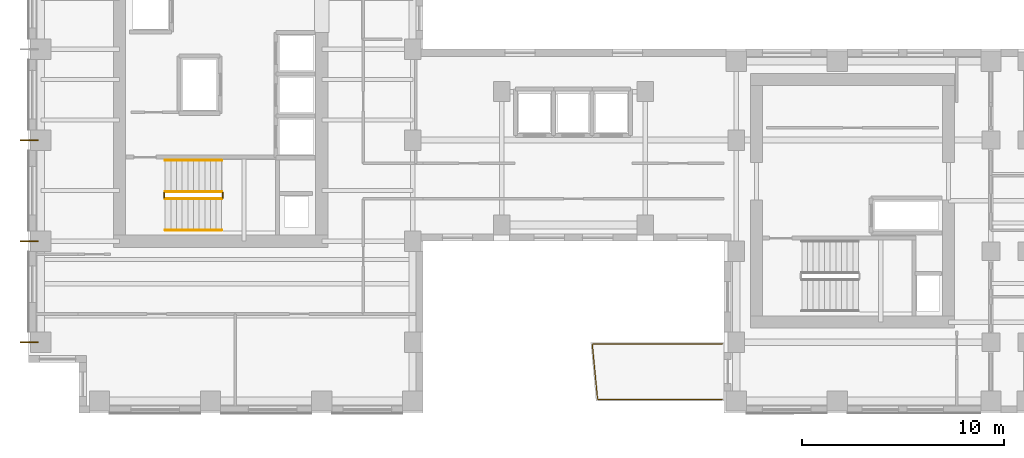
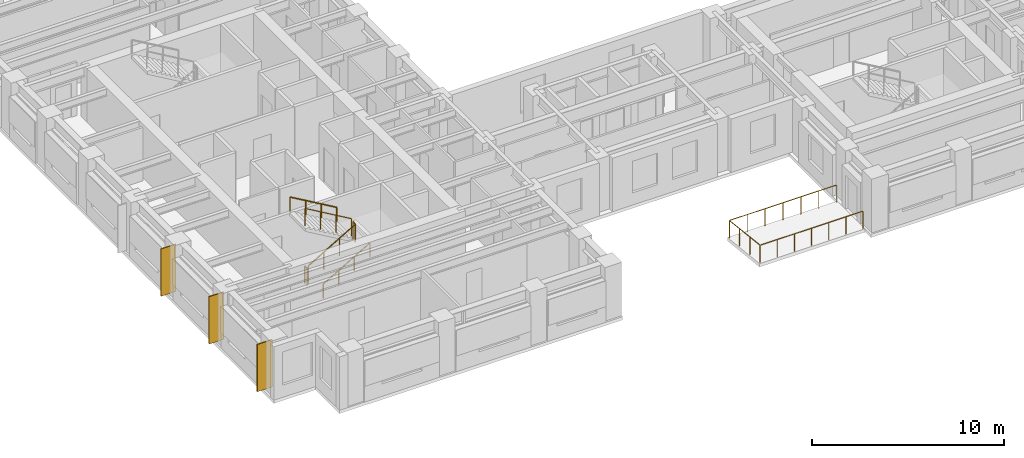
# One storey, part 10 of 12: 7 railings, 3 coverings.
"""IFC4 building model written with IfcOpenShell, lengths in metres."""

from ifc_helpers import new_model, si_unit, direction, frame, origin, origin_2d, place, context, subcontext, project, spatial, rectangle, circle, extrude, source, transform, mapped, material, layer, layer_set, type_object, element, save


model = new_model("IFC4")

# Units and contexts
model_context = context("Model", 3, precision=1e-05, world=origin(), true_north=direction((0.0, 1.0)))
body_context = subcontext(model_context, "Body", "Model", "MODEL_VIEW")
ifc_project = project(units=[si_unit("LENGTHUNIT", "METRE"), si_unit("AREAUNIT", "SQUARE_METRE"), si_unit("VOLUMEUNIT", "CUBIC_METRE"), si_unit("PLANEANGLEUNIT", "RADIAN"), si_unit("MASSUNIT", "GRAM", prefix="KILO")], contexts=[model_context])

# Site, building, storey
site_placement = place(None, origin())
site = spatial("IfcSite", under=ifc_project, at=site_placement, CompositionType="ELEMENT")
building_placement = place(site_placement, origin())
building = spatial("IfcBuilding", under=site, at=building_placement, Name="Kharzan Plaza Tower", CompositionType="ELEMENT")
storey_placement = place(building_placement, frame((0.0, 0.0, 179.10009765625)))
storey = spatial("IfcBuildingStorey", under=building, at=storey_placement, Name="L48", CompositionType="ELEMENT", Elevation=179.10009765625)

# Railings
ifc_material_1 = material(Name="Painted Galvanized Architectural Steel", Category="steel")
ifc_layer_1 = layer(ifc_material_1, 0.074951171875)
ifc_layer_set_1 = layer_set([ifc_layer_1], Name="Painted Galvanized Architectural Steel")
railing_type_1 = type_object("IfcRailingType", Name="RL-GUARD-1120", PredefinedType="BALUSTRADE", material=ifc_layer_set_1)
shared_shape_1 = source(origin(), body_context, "Body", "SweptSolid", [
    extrude(circle(Radius=0.02392578125, at=origin_2d()), frame((0.0, 0.0263671875, 1.09619140625), z_axis=(0.0, 1.0, 0.0), x_axis=(-1.0, 0.0, 0.0)), (0.0, 0.0, 1.0), 0.197021484375),
    extrude(circle(Radius=0.02099609375, at=origin_2d()), origin(), (0.0, 0.0, 1.0), 1.072021484375),
    extrude(circle(Radius=0.02099609375, at=origin_2d()), frame((0.0, 0.25, 0.0)), (0.0, 0.0, 1.0), 1.072021484375),
])
for number, where, name in (
    (1, (9.60009765625, 10.64990234375, 1.7998046875), "L48 ST-1 stair guard 2"),
    (2, (6.699951171875, 10.64990234375, 0.0), "L48 ST-1 stair guard 4"),
):
    element("IfcRailing", number, at=place(storey_placement, frame(where)), inside=storey, type_object=railing_type_1, Name=name, PredefinedType="BALUSTRADE", context=body_context, shape_type="MappedRepresentation", body=[
        mapped(shared_shape_1, transform((0.0, 0.0, 0.0), x_axis=(1.0, 0.0, 0.0), y_axis=(0.0, 1.0, 0.0), z_axis=(0.0, 0.0, 1.0))),
    ])

# Coverings
ifc_material_2 = material(Name="Honed Riyadh Limestone", Category="masonry")
ifc_layer_2 = layer(ifc_material_2, 0.06005859375)
ifc_layer_set_2 = layer_set([ifc_layer_2], Name="Honed Riyadh Limestone")
covering_type = type_object("IfcCoveringType", Name="COV-CLAD-STONE", PredefinedType="CLADDING", material=ifc_layer_set_2)
shared_shape_2 = source(origin(), body_context, "Body", "SweptSolid", [
    extrude(rectangle(XDim=0.06005859375, YDim=0.89990234375, at=origin_2d()), origin(), (0.0, 0.0, 1.0), 3.0),
])
for number, where, z_axis, x_axis, name in (
    (3, (0.02001953125, 13.5, 0.099853515625), (0.0, 0.0, 1.0), (0.0, 1.0, 0.0), "L48 Limestone Pier Rainscreen Cladding TCW-135"),
    (4, (0.02001953125, 3.5, 0.099853515625), (0.0, 0.0, 1.0), (0.0, 1.0, 0.0), "L48 Limestone Pier Rainscreen Cladding TCW-35"),
    (5, (0.02001953125, 8.5, 0.099853515625), (0.0, 0.0, 1.0), (0.0, 1.0, 0.0), "L48 Limestone Pier Rainscreen Cladding TCW-85"),
):
    element("IfcCovering", number, at=place(storey_placement, frame(where, z_axis=z_axis, x_axis=x_axis)), inside=storey, type_object=covering_type, Name=name, PredefinedType="CLADDING", context=body_context, shape_type="MappedRepresentation", body=[
        mapped(shared_shape_2, transform((0.0, 0.0, 0.0), x_axis=(1.0, 0.0, 0.0), y_axis=(0.0, 1.0, 0.0), z_axis=(0.0, 0.0, 1.0))),
    ])

# Railings
shared_shape_3 = source(origin(), body_context, "Body", "SweptSolid", [
    extrude(circle(Radius=0.02392578125, at=origin_2d()), frame((0.02294921875, 0.0, 1.109375), z_axis=(0.863393664356, 0.0, 0.504530851732), x_axis=(0.0, 1.0, 0.0)), (0.0, 0.0, 1.0), 3.190185546875),
    extrude(circle(Radius=0.02099609375, at=origin_2d()), origin(), (0.0, 0.0, 1.0), 1.072021484375),
    extrude(circle(Radius=0.02099609375, at=origin_2d()), frame((0.933349609375, 0.0, 0.54541015625)), (0.0, 0.0, 1.0), 1.072021484375),
    extrude(circle(Radius=0.02099609375, at=origin_2d()), frame((1.86669921875, 0.0, 1.0908203125)), (0.0, 0.0, 1.0), 1.072021484375),
    extrude(circle(Radius=0.02099609375, at=origin_2d()), frame((2.800048828125, 0.0, 1.63623046875)), (0.0, 0.0, 1.0), 1.072021484375),
])
railing_1_placement = place(storey_placement, frame((6.75, 10.60009765625, 0.16357421875)))
element("IfcRailing", 6, at=railing_1_placement, inside=storey, type_object=railing_type_1, Name="L48 ST-1 stair guard 1", PredefinedType="BALUSTRADE", context=body_context, shape_type="MappedRepresentation", body=[
    mapped(shared_shape_3, transform((0.0, 0.0, 0.0), x_axis=(1.0, 0.0, 0.0), y_axis=(0.0, 1.0, 0.0), z_axis=(0.0, 0.0, 1.0))),
])
shared_shape_4 = source(origin(), body_context, "Body", "SweptSolid", [
    extrude(circle(Radius=0.02392578125, at=origin_2d()), frame((-0.02294921875, 0.0, 1.109375), z_axis=(-0.863393664356, 0.0, 0.504530851732), x_axis=(0.0, -1.0, 0.0)), (0.0, 0.0, 1.0), 3.190185546875),
    extrude(circle(Radius=0.02099609375, at=origin_2d()), origin(), (0.0, 0.0, 1.0), 1.072021484375),
    extrude(circle(Radius=0.02099609375, at=origin_2d()), frame((-0.933349609375, 0.0, 0.54541015625)), (0.0, 0.0, 1.0), 1.072021484375),
    extrude(circle(Radius=0.02099609375, at=origin_2d()), frame((-1.86669921875, 0.0, 1.0908203125)), (0.0, 0.0, 1.0), 1.072021484375),
    extrude(circle(Radius=0.02099609375, at=origin_2d()), frame((-2.800048828125, 0.0, 1.63623046875)), (0.0, 0.0, 1.0), 1.072021484375),
])
railing_2_placement = place(storey_placement, frame((9.550048828125, 10.949951171875, 1.963623046875)))
element("IfcRailing", 7, at=railing_2_placement, inside=storey, type_object=railing_type_1, Name="L48 ST-1 stair guard 3", PredefinedType="BALUSTRADE", context=body_context, shape_type="MappedRepresentation", body=[
    mapped(shared_shape_4, transform((0.0, 0.0, 0.0), x_axis=(1.0, 0.0, 0.0), y_axis=(0.0, 1.0, 0.0), z_axis=(0.0, 0.0, 1.0))),
])
ifc_material_3 = material(Name="Brushed Stainless Steel", Category="steel")
ifc_layer_3 = layer(ifc_material_3, 0.050048828125)
ifc_layer_set_3 = layer_set([ifc_layer_3], Name="Brushed Stainless Steel")
railing_type_2 = type_object("IfcRailingType", Name="RL-STAIR-HR920", PredefinedType="HANDRAIL", material=ifc_layer_set_3)
shared_shape_5 = source(origin(), body_context, "Body", "SweptSolid", [
    extrude(circle(Radius=0.02392578125, at=origin_2d()), frame((0.02294921875, 0.0, 0.88916015625), z_axis=(0.863393664356, 0.0, 0.504530851732), x_axis=(0.0, 1.0, 0.0)), (0.0, 0.0, 1.0), 3.190185546875),
    extrude(circle(Radius=0.02099609375, at=origin_2d()), origin(), (0.0, 0.0, 1.0), 0.851806640625),
    extrude(circle(Radius=0.02099609375, at=origin_2d()), frame((0.933349609375, 0.0, 0.54541015625)), (0.0, 0.0, 1.0), 0.851806640625),
    extrude(circle(Radius=0.02099609375, at=origin_2d()), frame((1.86669921875, 0.0, 1.0908203125)), (0.0, 0.0, 1.0), 0.851806640625),
    extrude(circle(Radius=0.02099609375, at=origin_2d()), frame((2.800048828125, 0.0, 1.63623046875)), (0.0, 0.0, 1.0), 0.851806640625),
])
railing_3_placement = place(storey_placement, frame((6.75, 9.050048828125, 0.16357421875)))
element("IfcRailing", 8, at=railing_3_placement, inside=storey, type_object=railing_type_2, Name="L48 ST-1 stair handrail 1", PredefinedType="HANDRAIL", context=body_context, shape_type="MappedRepresentation", body=[
    mapped(shared_shape_5, transform((0.0, 0.0, 0.0), x_axis=(1.0, 0.0, 0.0), y_axis=(0.0, 1.0, 0.0), z_axis=(0.0, 0.0, 1.0))),
])
shared_shape_6 = source(origin(), body_context, "Body", "SweptSolid", [
    extrude(circle(Radius=0.02392578125, at=origin_2d()), frame((-0.02294921875, 0.0, 0.88916015625), z_axis=(-0.863393664356, 0.0, 0.504530851732), x_axis=(0.0, -1.0, 0.0)), (0.0, 0.0, 1.0), 3.190185546875),
    extrude(circle(Radius=0.02099609375, at=origin_2d()), origin(), (0.0, 0.0, 1.0), 0.851806640625),
    extrude(circle(Radius=0.02099609375, at=origin_2d()), frame((-0.933349609375, 0.0, 0.54541015625)), (0.0, 0.0, 1.0), 0.851806640625),
    extrude(circle(Radius=0.02099609375, at=origin_2d()), frame((-1.86669921875, 0.0, 1.0908203125)), (0.0, 0.0, 1.0), 0.851806640625),
    extrude(circle(Radius=0.02099609375, at=origin_2d()), frame((-2.800048828125, 0.0, 1.63623046875)), (0.0, 0.0, 1.0), 0.851806640625),
])
railing_4_placement = place(storey_placement, frame((9.550048828125, 12.5, 1.963623046875)))
element("IfcRailing", 9, at=railing_4_placement, inside=storey, type_object=railing_type_2, Name="L48 ST-1 stair handrail 2", PredefinedType="HANDRAIL", context=body_context, shape_type="MappedRepresentation", body=[
    mapped(shared_shape_6, transform((0.0, 0.0, 0.0), x_axis=(1.0, 0.0, 0.0), y_axis=(0.0, 1.0, 0.0), z_axis=(0.0, 0.0, 1.0))),
])
shared_shape_7 = source(origin(), body_context, "Body", "SweptSolid", [
    extrude(circle(Radius=0.02392578125, at=origin_2d()), frame((-0.0263671875, 0.0, 1.09619140625), z_axis=(-1.0, 0.0, 0.0), x_axis=(0.0, -1.0, 0.0)), (0.0, 0.0, 1.0), 6.123046875),
    extrude(circle(Radius=0.02392578125, at=origin_2d()), frame((-6.178466796875, 0.0263671875, 1.09619140625), z_axis=(-0.095964210763, 0.995384785022, 0.0), x_axis=(-0.995384785022, -0.095964210763, 0.0)), (0.0, 0.0, 1.0), 2.69970703125),
    extrude(circle(Radius=0.02392578125, at=origin_2d()), frame((-6.413818359375, 2.739990234375, 1.09619140625), z_axis=(1.0, 0.0, 0.0), x_axis=(0.0, 1.0, 0.0)), (0.0, 0.0, 1.0), 6.38720703125),
    extrude(circle(Radius=0.02099609375, at=origin_2d()), origin(), (0.0, 0.0, 1.0), 1.072021484375),
    extrude(circle(Radius=0.02099609375, at=origin_2d()), frame((-1.029296875, 0.0, 0.0)), (0.0, 0.0, 1.0), 1.072021484375),
    extrude(circle(Radius=0.02099609375, at=origin_2d()), frame((-2.05859375, 0.0, 0.0)), (0.0, 0.0, 1.0), 1.072021484375),
    extrude(circle(Radius=0.02099609375, at=origin_2d()), frame((-3.087890625, 0.0, 0.0)), (0.0, 0.0, 1.0), 1.072021484375),
    extrude(circle(Radius=0.02099609375, at=origin_2d()), frame((-4.117431640625, 0.0, 0.0)), (0.0, 0.0, 1.0), 1.072021484375),
    extrude(circle(Radius=0.02099609375, at=origin_2d()), frame((-5.146728515625, 0.0, 0.0)), (0.0, 0.0, 1.0), 1.072021484375),
    extrude(circle(Radius=0.02099609375, at=origin_2d()), frame((-6.176025390625, 0.0, 0.0)), (0.0, 0.0, 1.0), 1.072021484375),
    extrude(circle(Radius=0.02099609375, at=origin_2d()), frame((-6.26416015625, 0.913330078125, 0.0)), (0.0, 0.0, 1.0), 1.072021484375),
    extrude(circle(Radius=0.02099609375, at=origin_2d()), frame((-6.35205078125, 1.82666015625, 0.0)), (0.0, 0.0, 1.0), 1.072021484375),
    extrude(circle(Radius=0.02099609375, at=origin_2d()), frame((-6.440185546875, 2.739990234375, 0.0)), (0.0, 0.0, 1.0), 1.072021484375),
    extrude(circle(Radius=0.02099609375, at=origin_2d()), frame((-5.36669921875, 2.739990234375, 0.0)), (0.0, 0.0, 1.0), 1.072021484375),
    extrude(circle(Radius=0.02099609375, at=origin_2d()), frame((-4.29345703125, 2.739990234375, 0.0)), (0.0, 0.0, 1.0), 1.072021484375),
    extrude(circle(Radius=0.02099609375, at=origin_2d()), frame((-3.22021484375, 2.739990234375, 0.0)), (0.0, 0.0, 1.0), 1.072021484375),
    extrude(circle(Radius=0.02099609375, at=origin_2d()), frame((-2.146728515625, 2.739990234375, 0.0)), (0.0, 0.0, 1.0), 1.072021484375),
    extrude(circle(Radius=0.02099609375, at=origin_2d()), frame((-1.0732421875, 2.739990234375, 0.0)), (0.0, 0.0, 1.0), 1.072021484375),
    extrude(circle(Radius=0.02099609375, at=origin_2d()), frame((0.0, 2.739990234375, 0.0)), (0.0, 0.0, 1.0), 1.072021484375),
])
railing_5_placement = place(storey_placement, frame((34.320068359375, 0.679931640625, 0.0)))
element("IfcRailing", 10, at=railing_5_placement, inside=storey, type_object=railing_type_1, Name="L48 Cantilevered Sky-Terrace Tray Balustrade", PredefinedType="BALUSTRADE", context=body_context, shape_type="MappedRepresentation", body=[
    mapped(shared_shape_7, transform((0.0, 0.0, 0.0), x_axis=(1.0, 0.0, 0.0), y_axis=(0.0, 1.0, 0.0), z_axis=(0.0, 0.0, 1.0))),
])

save(model, "model.ifc")
